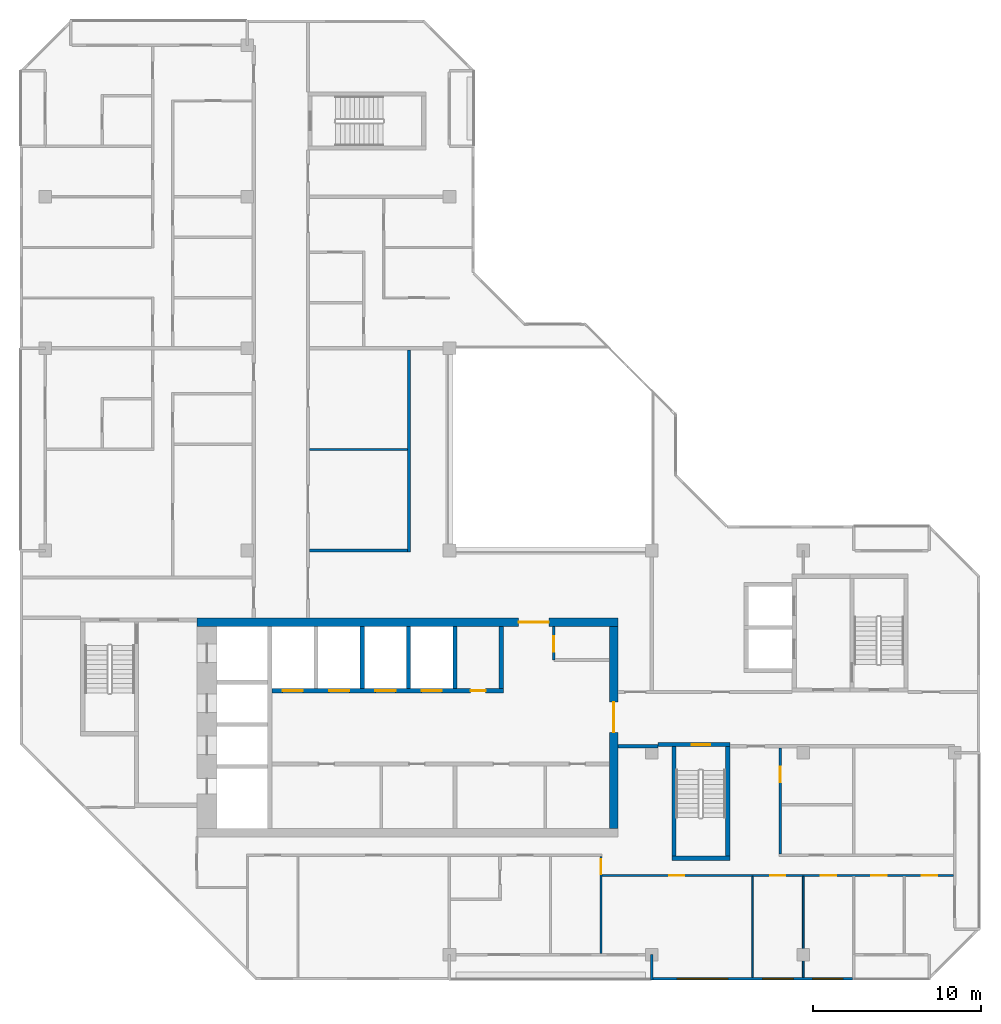
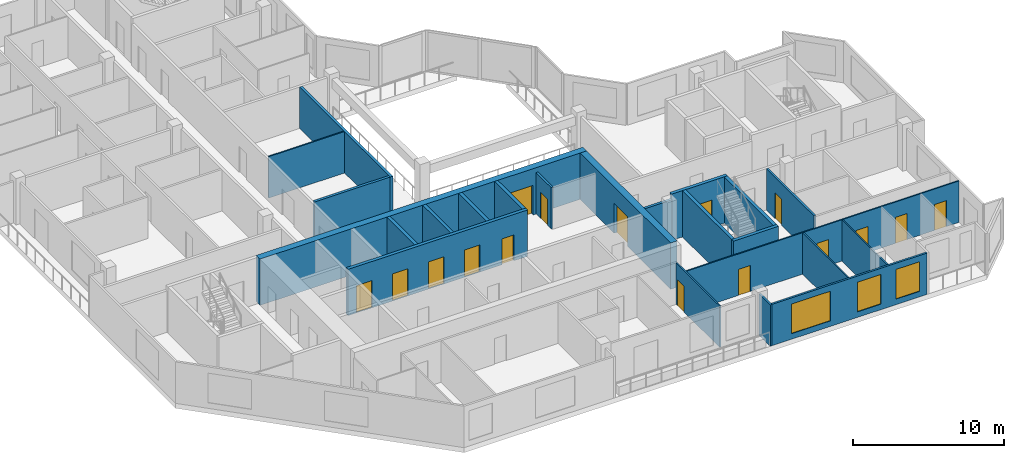
# One storey, part 5 of 12: 23 walls, 16 doors, 3 windows, 19 openings.
"""IFC4 building model written with IfcOpenShell, lengths in metres."""

from ifc_helpers import new_model, si_unit, direction, frame, frame_2d, origin, place, context, subcontext, project, spatial, rectangle, extrude, material, layer, layer_set, type_object, element, fill, save


model = new_model("IFC4")

# Units and contexts
model_context = context("Model", 3, precision=1e-05, world=origin(), true_north=direction((0.0, 1.0)))
body_context = subcontext(model_context, "Body", "Model", "MODEL_VIEW")
ifc_project = project(units=[si_unit("LENGTHUNIT", "METRE"), si_unit("AREAUNIT", "SQUARE_METRE"), si_unit("VOLUMEUNIT", "CUBIC_METRE"), si_unit("PLANEANGLEUNIT", "RADIAN"), si_unit("MASSUNIT", "GRAM", prefix="KILO")], contexts=[model_context])

# Site, building, storey
site_placement = place(None, origin())
site = spatial("IfcSite", under=ifc_project, at=site_placement, CompositionType="ELEMENT")
building_placement = place(site_placement, origin())
building = spatial("IfcBuilding", under=site, at=building_placement, Name="Chenar Terraces", CompositionType="ELEMENT")
storey_placement = place(building_placement, frame((0.0, 0.0, 342.64990234375)))
storey = spatial("IfcBuildingStorey", under=building, at=storey_placement, Name="L79", CompositionType="ELEMENT", Elevation=342.64990234375)

# Wall, opening, door
ifc_material_1 = material(Name="Gypsum board on steel studs", Category="steel")
ifc_layer_1 = layer(ifc_material_1, 0.14990234375)
ifc_layer_set_1 = layer_set([ifc_layer_1], Name="Gypsum board on steel studs")
wall_type_1 = type_object("IfcWallType", Name="Core partition 150 gypsum board", PredefinedType="PARTITIONING", material=ifc_layer_set_1)
wall_1_placement = place(storey_placement, frame((30.199951171875, 17.5, 0.0), z_axis=(0.0, 0.0, 1.0), x_axis=(0.0, 1.0, 0.0)))
wall_1 = element("IfcWall", 1, at=wall_1_placement, inside=storey, type_object=wall_type_1, Name="Core partition CP1 vestibule room west wall", PredefinedType="PARTITIONING", context=body_context, shape_type="SweptSolid", body=[
    extrude(rectangle(XDim=2.0, YDim=0.14990234375, at=frame_2d((1.0, 0.0))), origin(), (0.0, 0.0, 1.0), 3.35009765625),
])
opening_1_placement = place(wall_1_placement, frame((0.5, 0.0, 0.0)))
opening_1 = element("IfcOpeningElement", 2, at=opening_1_placement, cuts=wall_1, Name="Opening DL79-C17", PredefinedType="OPENING", context=body_context, shape_type="SweptSolid", body=[
    extrude(rectangle(XDim=0.89990234375, YDim=2.10009765625, at=frame_2d((0.449951171875, 1.050048828125))), frame((0.0, 0.0849609375, 0.0), z_axis=(0.0, -1.0, 0.0), x_axis=(1.0, 0.0, 0.0)), (0.0, 0.0, 1.0), 0.169921875),
])
ifc_material_2 = material(Name="Steel-framed fire-resisting door leaf", Category="steel")
door_type_1 = type_object("IfcDoorType", Name="Riser fire door FD60 900 x 2100", OperationType="SINGLE_SWING_LEFT", PredefinedType="DOOR", material=ifc_material_2)
door_1_placement = place(opening_1_placement, frame((0.89990234375, 0.0, 0.0), z_axis=(0.0, 0.0, 1.0), x_axis=(-1.0, 0.0, 0.0)))
door_1 = element("IfcDoor", 3, at=door_1_placement, inside=storey, type_object=door_type_1, Name="Core room door DL79-C17", OperationType="SINGLE_SWING_RIGHT", OverallHeight=2.10009765625, OverallWidth=0.89990234375, PredefinedType="DOOR", context=body_context, shape_type="SweptSolid", body=[
    extrude(rectangle(XDim=0.89990234375, YDim=2.10009765625, at=frame_2d((0.449951171875, 1.050048828125))), frame((0.0, 0.02490234375, 0.0), z_axis=(0.0, -1.0, 0.0), x_axis=(1.0, 0.0, 0.0)), (0.0, 0.0, 1.0), 0.050048828125),
])
fill(opening_1, door_1)

# Wall, openings, doors
ifc_material_3 = material(Name="Concrete C50/60", Category="concrete")
ifc_layer_2 = layer(ifc_material_3, 0.25)
ifc_layer_set_2 = layer_set([ifc_layer_2], Name="Concrete C50/60")
wall_type_2 = type_object("IfcWallType", Name="Core wall 250 Concrete C50/60", PredefinedType="SHEAR", material=ifc_layer_set_2)
wall_2_placement = place(storey_placement, frame((13.449951171875, 15.675048828125, 0.0), z_axis=(0.0, 0.0, 1.0), x_axis=(1.0, 0.0, 0.0)))
wall_2 = element("IfcWall", 4, at=wall_2_placement, inside=storey, type_object=wall_type_2, Name="Core wall NF L79", PredefinedType="SHEAR", context=body_context, shape_type="SweptSolid", body=[
    extrude(rectangle(XDim=13.75, YDim=0.25, at=frame_2d((6.875, 0.0))), origin(), (0.0, 0.0, 1.0), 3.75),
])
opening_2_placement = place(wall_2_placement, frame((0.64990234375, 0.0, 0.0)))
opening_2 = element("IfcOpeningElement", 5, at=opening_2_placement, cuts=wall_2, Name="Opening DL79-LD1", PredefinedType="OPENING", context=body_context, shape_type="SweptSolid", body=[
    extrude(rectangle(XDim=1.199951171875, YDim=2.199951171875, at=frame_2d((0.60009765625, 1.10009765625))), frame((0.0, 0.135009765625, 0.0), z_axis=(0.0, -1.0, 0.0), x_axis=(1.0, 0.0, 0.0)), (0.0, 0.0, 1.0), 0.27001953125),
])
opening_3_placement = place(wall_2_placement, frame((3.39990234375, 0.0, 0.0)))
opening_3 = element("IfcOpeningElement", 6, at=opening_3_placement, cuts=wall_2, Name="Opening DL79-LD2", PredefinedType="OPENING", context=body_context, shape_type="SweptSolid", body=[
    extrude(rectangle(XDim=1.199951171875, YDim=2.199951171875, at=frame_2d((0.60009765625, 1.10009765625))), frame((0.0, 0.135009765625, 0.0), z_axis=(0.0, -1.0, 0.0), x_axis=(1.0, 0.0, 0.0)), (0.0, 0.0, 1.0), 0.27001953125),
])
opening_4_placement = place(wall_2_placement, frame((6.14990234375, 0.0, 0.0)))
opening_4 = element("IfcOpeningElement", 7, at=opening_4_placement, cuts=wall_2, Name="Opening DL79-LD3", PredefinedType="OPENING", context=body_context, shape_type="SweptSolid", body=[
    extrude(rectangle(XDim=1.199951171875, YDim=2.199951171875, at=frame_2d((0.60009765625, 1.10009765625))), frame((0.0, 0.135009765625, 0.0), z_axis=(0.0, -1.0, 0.0), x_axis=(1.0, 0.0, 0.0)), (0.0, 0.0, 1.0), 0.27001953125),
])
opening_5_placement = place(wall_2_placement, frame((8.89990234375, 0.0, 0.0)))
opening_5 = element("IfcOpeningElement", 8, at=opening_5_placement, cuts=wall_2, Name="Opening DL79-LD4", PredefinedType="OPENING", context=body_context, shape_type="SweptSolid", body=[
    extrude(rectangle(XDim=1.199951171875, YDim=2.199951171875, at=frame_2d((0.60009765625, 1.10009765625))), frame((0.0, 0.135009765625, 0.0), z_axis=(0.0, -1.0, 0.0), x_axis=(1.0, 0.0, 0.0)), (0.0, 0.0, 1.0), 0.27001953125),
])
opening_6_placement = place(wall_2_placement, frame((11.800048828125, 0.0, 0.0)))
opening_6 = element("IfcOpeningElement", 9, at=opening_6_placement, cuts=wall_2, Name="Opening DL79-C16", PredefinedType="OPENING", context=body_context, shape_type="SweptSolid", body=[
    extrude(rectangle(XDim=0.89990234375, YDim=2.10009765625, at=frame_2d((0.449951171875, 1.050048828125))), frame((0.0, 0.135009765625, 0.0), z_axis=(0.0, -1.0, 0.0), x_axis=(1.0, 0.0, 0.0)), (0.0, 0.0, 1.0), 0.27001953125),
])
ifc_material_4 = material(Name="Stainless steel", Category="steel")
door_type_2 = type_object("IfcDoorType", Name="Lift landing door 1200 x 2200 sliding", OperationType="DOUBLE_DOOR_SLIDING", PredefinedType="DOOR", material=ifc_material_4)
door_2_placement = place(opening_2_placement, origin())
door_2 = element("IfcDoor", 10, at=door_2_placement, inside=storey, type_object=door_type_2, Name="Landing door H1", OperationType="DOUBLE_DOOR_SLIDING", OverallHeight=2.199951171875, OverallWidth=1.199951171875, PredefinedType="DOOR", context=body_context, shape_type="SweptSolid", body=[
    extrude(rectangle(XDim=1.199951171875, YDim=2.199951171875, at=frame_2d((0.60009765625, 1.10009765625))), frame((0.0, 0.02490234375, 0.0), z_axis=(0.0, -1.0, 0.0), x_axis=(1.0, 0.0, 0.0)), (0.0, 0.0, 1.0), 0.050048828125),
])
fill(opening_2, door_2)
door_3_placement = place(opening_3_placement, origin())
door_3 = element("IfcDoor", 11, at=door_3_placement, inside=storey, type_object=door_type_2, Name="Landing door H2", OperationType="DOUBLE_DOOR_SLIDING", OverallHeight=2.199951171875, OverallWidth=1.199951171875, PredefinedType="DOOR", context=body_context, shape_type="SweptSolid", body=[
    extrude(rectangle(XDim=1.199951171875, YDim=2.199951171875, at=frame_2d((0.60009765625, 1.10009765625))), frame((0.0, 0.02490234375, 0.0), z_axis=(0.0, -1.0, 0.0), x_axis=(1.0, 0.0, 0.0)), (0.0, 0.0, 1.0), 0.050048828125),
])
fill(opening_3, door_3)
door_4_placement = place(opening_4_placement, origin())
door_4 = element("IfcDoor", 12, at=door_4_placement, inside=storey, type_object=door_type_2, Name="Landing door H3", OperationType="DOUBLE_DOOR_SLIDING", OverallHeight=2.199951171875, OverallWidth=1.199951171875, PredefinedType="DOOR", context=body_context, shape_type="SweptSolid", body=[
    extrude(rectangle(XDim=1.199951171875, YDim=2.199951171875, at=frame_2d((0.60009765625, 1.10009765625))), frame((0.0, 0.02490234375, 0.0), z_axis=(0.0, -1.0, 0.0), x_axis=(1.0, 0.0, 0.0)), (0.0, 0.0, 1.0), 0.050048828125),
])
fill(opening_4, door_4)
door_5_placement = place(opening_5_placement, origin())
door_5 = element("IfcDoor", 13, at=door_5_placement, inside=storey, type_object=door_type_2, Name="Landing door H4", OperationType="DOUBLE_DOOR_SLIDING", OverallHeight=2.199951171875, OverallWidth=1.199951171875, PredefinedType="DOOR", context=body_context, shape_type="SweptSolid", body=[
    extrude(rectangle(XDim=1.199951171875, YDim=2.199951171875, at=frame_2d((0.60009765625, 1.10009765625))), frame((0.0, 0.02490234375, 0.0), z_axis=(0.0, -1.0, 0.0), x_axis=(1.0, 0.0, 0.0)), (0.0, 0.0, 1.0), 0.050048828125),
])
fill(opening_5, door_5)
door_6_placement = place(opening_6_placement, origin())
door_6 = element("IfcDoor", 14, at=door_6_placement, inside=storey, type_object=door_type_1, Name="Core room door DL79-C16", OperationType="SINGLE_SWING_RIGHT", OverallHeight=2.10009765625, OverallWidth=0.89990234375, PredefinedType="DOOR", context=body_context, shape_type="SweptSolid", body=[
    extrude(rectangle(XDim=0.89990234375, YDim=2.10009765625, at=frame_2d((0.449951171875, 1.050048828125))), frame((0.0, 0.02490234375, 0.0), z_axis=(0.0, -1.0, 0.0), x_axis=(1.0, 0.0, 0.0)), (0.0, 0.0, 1.0), 0.050048828125),
])
fill(opening_6, door_6)

# Walls
for number, where, z_axis, x_axis, name in (
    (15, (18.824951171875, 15.800048828125, 0.0), (0.0, 0.0, 1.0), (0.0, 1.0, 0.0), "Core wall NS1 L79"),
    (16, (21.574951171875, 15.800048828125, 0.0), (0.0, 0.0, 1.0), (0.0, 1.0, 0.0), "Core wall NS2 L79"),
    (17, (24.324951171875, 15.800048828125, 0.0), (0.0, 0.0, 1.0), (0.0, 1.0, 0.0), "Core wall NS3 L79"),
    (18, (27.074951171875, 15.800048828125, 0.0), (0.0, 0.0, 1.0), (0.0, 1.0, 0.0), "Core wall NE L79"),
):
    element("IfcWall", number, at=place(storey_placement, frame(where, z_axis=z_axis, x_axis=x_axis)), inside=storey, type_object=wall_type_2, Name=name, PredefinedType="SHEAR", context=body_context, shape_type="SweptSolid", body=[
        extrude(rectangle(XDim=3.699951171875, YDim=0.25, at=frame_2d((1.85009765625, 0.0))), origin(), (0.0, 0.0, 1.0), 3.75),
    ])
wall_3_placement = place(storey_placement, frame((37.199951171875, 5.72509765625, 0.0), z_axis=(0.0, 0.0, 1.0), x_axis=(1.0, 0.0, 0.0)))
element("IfcWall", 19, at=wall_3_placement, inside=storey, type_object=wall_type_2, Name="Core wall ST2_S L79", PredefinedType="SHEAR", context=body_context, shape_type="SweptSolid", body=[
    extrude(rectangle(XDim=3.449951171875, YDim=0.25, at=frame_2d((1.72509765625, 0.0))), origin(), (0.0, 0.0, 1.0), 3.75),
])

# Wall, opening, door
wall_4_placement = place(storey_placement, frame((36.375, 12.47509765625, 0.0), z_axis=(0.0, 0.0, 1.0), x_axis=(1.0, 0.0, 0.0)))
wall_4 = element("IfcWall", 20, at=wall_4_placement, inside=storey, type_object=wall_type_2, Name="Core wall ST2_N L79", PredefinedType="SHEAR", context=body_context, shape_type="SweptSolid", body=[
    extrude(rectangle(XDim=4.27490234375, YDim=0.25, at=frame_2d((2.137451171875, 0.0))), origin(), (0.0, 0.0, 1.0), 3.75),
])
opening_7_placement = place(wall_4_placement, frame((2.0, 0.0, 0.0)))
opening_7 = element("IfcOpeningElement", 21, at=opening_7_placement, cuts=wall_4, Name="Opening DL79-C7", PredefinedType="OPENING", context=body_context, shape_type="SweptSolid", body=[
    extrude(rectangle(XDim=1.10009765625, YDim=2.199951171875, at=frame_2d((0.550048828125, 1.10009765625))), frame((0.0, 0.135009765625, 0.0), z_axis=(0.0, -1.0, 0.0), x_axis=(1.0, 0.0, 0.0)), (0.0, 0.0, 1.0), 0.27001953125),
])
ifc_material_5 = material(Name="Steel-framed fire-resisting door leaf", Category="steel")
door_type_3 = type_object("IfcDoorType", Name="Stair fire door FD60 1100 x 2200", OperationType="SINGLE_SWING_LEFT", PredefinedType="DOOR", material=ifc_material_5)
door_7_placement = place(opening_7_placement, frame((1.10009765625, 0.0, 0.0), z_axis=(0.0, 0.0, 1.0), x_axis=(-1.0, 0.0, 0.0)))
door_7 = element("IfcDoor", 22, at=door_7_placement, inside=storey, type_object=door_type_3, Name="Stair door DL79-C7", OperationType="SINGLE_SWING_LEFT", OverallHeight=2.199951171875, OverallWidth=1.10009765625, PredefinedType="DOOR", context=body_context, shape_type="SweptSolid", body=[
    extrude(rectangle(XDim=1.10009765625, YDim=2.199951171875, at=frame_2d((0.550048828125, 1.10009765625))), frame((0.0, 0.02490234375, 0.0), z_axis=(0.0, -1.0, 0.0), x_axis=(1.0, 0.0, 0.0)), (0.0, 0.0, 1.0), 0.050048828125),
])
fill(opening_7, door_7)

# Walls
for number, where, z_axis, x_axis, name in (
    (23, (37.324951171875, 5.85009765625, 0.0), (0.0, 0.0, 1.0), (0.0, 1.0, 0.0), "Core wall ST2_W L79"),
    (24, (40.52490234375, 5.85009765625, 0.0), (0.0, 0.0, 1.0), (0.0, 1.0, 0.0), "Core wall ST2_E L79"),
):
    element("IfcWall", number, at=place(storey_placement, frame(where, z_axis=z_axis, x_axis=x_axis)), inside=storey, type_object=wall_type_2, Name=name, PredefinedType="SHEAR", context=body_context, shape_type="SweptSolid", body=[
        extrude(rectangle(XDim=6.5, YDim=0.25, at=frame_2d((3.25, 0.0))), origin(), (0.0, 0.0, 1.0), 3.75),
    ])

# Wall, opening, door
ifc_material_6 = material(Name="Concrete C50/60", Category="concrete")
ifc_layer_3 = layer(ifc_material_6, 0.5)
ifc_layer_set_3 = layer_set([ifc_layer_3], Name="Concrete C50/60")
wall_type_3 = type_object("IfcWallType", Name="Core wall 500 Concrete C50/60", PredefinedType="SHEAR", material=ifc_layer_set_3)
wall_5_placement = place(storey_placement, frame((9.0, 19.75, 0.0), z_axis=(0.0, 0.0, 1.0), x_axis=(1.0, 0.0, 0.0)))
wall_5 = element("IfcWall", 25, at=wall_5_placement, inside=storey, type_object=wall_type_3, Name="Core wall N L79", PredefinedType="SHEAR", context=body_context, shape_type="SweptSolid", body=[
    extrude(rectangle(XDim=25.0, YDim=0.5, at=frame_2d((12.5, 0.0))), origin(), (0.0, 0.0, 1.0), 3.75),
])
opening_8_placement = place(wall_5_placement, frame((19.10009765625, 0.0, 0.0)))
opening_8 = element("IfcOpeningElement", 26, at=opening_8_placement, cuts=wall_5, Name="Opening DL79-C2", PredefinedType="OPENING", context=body_context, shape_type="SweptSolid", body=[
    extrude(rectangle(XDim=1.800048828125, YDim=2.39990234375, at=frame_2d((0.89990234375, 1.199951171875))), frame((0.0, 0.260009765625, 0.0), z_axis=(0.0, -1.0, 0.0), x_axis=(1.0, 0.0, 0.0)), (0.0, 0.0, 1.0), 0.52001953125),
])
ifc_material_7 = material(Name="Steel-framed fire-resisting door leaf", Category="steel")
door_type_4 = type_object("IfcDoorType", Name="Core entrance double fire door FD60 1800 x 2400", OperationType="DOUBLE_DOOR_SINGLE_SWING", PredefinedType="DOOR", material=ifc_material_7)
door_8_placement = place(opening_8_placement, frame((1.800048828125, 0.0, 0.0), z_axis=(0.0, 0.0, 1.0), x_axis=(-1.0, 0.0, 0.0)))
door_8 = element("IfcDoor", 27, at=door_8_placement, inside=storey, type_object=door_type_4, Name="Core door DL79-C2", OperationType="DOUBLE_DOOR_SINGLE_SWING", OverallHeight=2.39990234375, OverallWidth=1.800048828125, PredefinedType="DOOR", context=body_context, shape_type="SweptSolid", body=[
    extrude(rectangle(XDim=1.800048828125, YDim=2.39990234375, at=frame_2d((0.89990234375, 1.199951171875))), frame((0.0, 0.02490234375, 0.0), z_axis=(0.0, -1.0, 0.0), x_axis=(1.0, 0.0, 0.0)), (0.0, 0.0, 1.0), 0.050048828125),
])
fill(opening_8, door_8)

wall_6_placement = place(storey_placement, frame((33.75, 7.5, 0.0), z_axis=(0.0, 0.0, 1.0), x_axis=(0.0, 1.0, 0.0)))
wall_6 = element("IfcWall", 28, at=wall_6_placement, inside=storey, type_object=wall_type_3, Name="Core wall E L79", PredefinedType="SHEAR", context=body_context, shape_type="SweptSolid", body=[
    extrude(rectangle(XDim=12.0, YDim=0.5, at=frame_2d((6.0, 0.0))), origin(), (0.0, 0.0, 1.0), 3.75),
])
opening_9_placement = place(wall_6_placement, frame((5.699951171875, 0.0, 0.0)))
opening_9 = element("IfcOpeningElement", 29, at=opening_9_placement, cuts=wall_6, Name="Opening DL79-C1", PredefinedType="OPENING", context=body_context, shape_type="SweptSolid", body=[
    extrude(rectangle(XDim=1.800048828125, YDim=2.39990234375, at=frame_2d((0.89990234375, 1.199951171875))), frame((0.0, 0.260009765625, 0.0), z_axis=(0.0, -1.0, 0.0), x_axis=(1.0, 0.0, 0.0)), (0.0, 0.0, 1.0), 0.52001953125),
])
door_9_placement = place(opening_9_placement, origin())
door_9 = element("IfcDoor", 30, at=door_9_placement, inside=storey, type_object=door_type_4, Name="Core door DL79-C1", OperationType="DOUBLE_DOOR_SINGLE_SWING", OverallHeight=2.39990234375, OverallWidth=1.800048828125, PredefinedType="DOOR", context=body_context, shape_type="SweptSolid", body=[
    extrude(rectangle(XDim=1.800048828125, YDim=2.39990234375, at=frame_2d((0.89990234375, 1.199951171875))), frame((0.0, 0.02490234375, 0.0), z_axis=(0.0, -1.0, 0.0), x_axis=(1.0, 0.0, 0.0)), (0.0, 0.0, 1.0), 0.050048828125),
])
fill(opening_9, door_9)

# Walls
ifc_material_8 = material(Name="Gypsum board on steel studs with fire boards", Category="steel")
ifc_layer_4 = layer(ifc_material_8, 0.199951171875)
ifc_layer_set_4 = layer_set([ifc_layer_4], Name="Gypsum board on steel studs with fire boards")
wall_type_4 = type_object("IfcWallType", Name="Corridor wall 200", PredefinedType="PARTITIONING", material=ifc_layer_set_4)
wall_7_placement = place(storey_placement, frame((15.699951171875, 24.0, 0.0), z_axis=(0.0, 0.0, 1.0), x_axis=(1.0, 0.0, 0.0)))
element("IfcWall", 31, at=wall_7_placement, inside=storey, type_object=wall_type_4, Name="Partition L79-033", PredefinedType="PARTITIONING", context=body_context, shape_type="SweptSolid", body=[
    extrude(rectangle(XDim=5.800048828125, YDim=0.199951171875, at=frame_2d((2.89990234375, 0.0))), origin(), (0.0, 0.0, 1.0), 3.35009765625),
])
wall_8_placement = place(storey_placement, frame((21.60009765625, 23.89990234375, 0.0), z_axis=(0.0, 0.0, 1.0), x_axis=(0.0, 1.0, 0.0)))
element("IfcWall", 32, at=wall_8_placement, inside=storey, type_object=wall_type_4, Name="Partition L79-043", PredefinedType="PARTITIONING", context=body_context, shape_type="SweptSolid", body=[
    extrude(rectangle(XDim=12.0, YDim=0.199951171875, at=frame_2d((6.0, 0.0))), origin(), (0.0, 0.0, 1.0), 3.35009765625),
])
wall_9_placement = place(storey_placement, frame((34.0, 12.375, 0.0), z_axis=(0.0, 0.0, 1.0), x_axis=(1.0, 0.0, 0.0)))
element("IfcWall", 33, at=wall_9_placement, inside=storey, type_object=wall_type_4, Name="Partition L79-050", PredefinedType="PARTITIONING", context=body_context, shape_type="SweptSolid", body=[
    extrude(rectangle(XDim=2.3759765625, YDim=0.199951171875, at=frame_2d((1.18798828125, 0.0))), origin(), (0.0, 0.0, 1.0), 3.35009765625),
])

# Wall, openings, windows
ifc_material_9 = material(Name="Aluminium framed glazing", Category="aluminium")
ifc_layer_5 = layer(ifc_material_9, 0.14990234375)
ifc_layer_set_5 = layer_set([ifc_layer_5], Name="Aluminium framed glazing")
wall_type_5 = type_object("IfcWallType", Name="Glazed flush facade wall 150", PredefinedType="SOLIDWALL", material=ifc_layer_set_5)
wall_10_placement = place(storey_placement, frame((36.074951171875, -1.425048828125, 0.0), z_axis=(0.0, 0.0, 1.0), x_axis=(1.0, 0.0, 0.0)))
wall_10 = element("IfcWall", 34, at=wall_10_placement, inside=storey, type_object=wall_type_5, Name="Glazed flush facade wall", PredefinedType="SOLIDWALL", context=body_context, shape_type="SweptSolid", body=[
    extrude(rectangle(XDim=11.85009765625, YDim=0.14990234375, at=frame_2d((5.925048828125, 0.0))), origin(), (0.0, 0.0, 1.0), 3.35009765625),
])
opening_10_placement = place(wall_10_placement, frame((1.46240234375, 0.0, 0.449951171875)))
opening_10 = element("IfcOpeningElement", 35, at=opening_10_placement, cuts=wall_10, Name="Opening W300x240", PredefinedType="OPENING", context=body_context, shape_type="SweptSolid", body=[
    extrude(rectangle(XDim=3.0, YDim=2.39990234375, at=frame_2d((1.5, 1.199951171875))), frame((0.0, 0.0849609375, 0.0), z_axis=(0.0, -1.0, 0.0), x_axis=(1.0, 0.0, 0.0)), (0.0, 0.0, 1.0), 0.169921875),
])
opening_11_placement = place(wall_10_placement, frame((6.52490234375, 0.0, 0.449951171875)))
opening_11 = element("IfcOpeningElement", 36, at=opening_11_placement, cuts=wall_10, Name="Opening W180x240", PredefinedType="OPENING", context=body_context, shape_type="SweptSolid", body=[
    extrude(rectangle(XDim=1.800048828125, YDim=2.39990234375, at=frame_2d((0.89990234375, 1.199951171875))), frame((0.0, 0.0849609375, 0.0), z_axis=(0.0, -1.0, 0.0), x_axis=(1.0, 0.0, 0.0)), (0.0, 0.0, 1.0), 0.169921875),
])
opening_12_placement = place(wall_10_placement, frame((9.487548828125, 0.0, 0.449951171875)))
opening_12 = element("IfcOpeningElement", 37, at=opening_12_placement, cuts=wall_10, Name="Opening W180x240", PredefinedType="OPENING", context=body_context, shape_type="SweptSolid", body=[
    extrude(rectangle(XDim=1.800048828125, YDim=2.39990234375, at=frame_2d((0.89990234375, 1.199951171875))), frame((0.0, 0.0849609375, 0.0), z_axis=(0.0, -1.0, 0.0), x_axis=(1.0, 0.0, 0.0)), (0.0, 0.0, 1.0), 0.169921875),
])
ifc_material_10 = material(Name="Low emissivity double glazing, aluminium frame", Category="aluminium")
window_type_1 = type_object("IfcWindowType", Name="Fixed light 1800 x 2400", PartitioningType="SINGLE_PANEL", PredefinedType="WINDOW", material=ifc_material_10)
window_1_placement = place(opening_11_placement, origin())
window_1 = element("IfcWindow", 38, at=window_1_placement, inside=storey, type_object=window_type_1, Name="Window", OverallHeight=2.39990234375, OverallWidth=1.800048828125, PartitioningType="SINGLE_PANEL", PredefinedType="WINDOW", context=body_context, shape_type="SweptSolid", body=[
    extrude(rectangle(XDim=1.800048828125, YDim=2.39990234375, at=frame_2d((0.89990234375, 1.199951171875))), frame((0.0, 0.030029296875, 0.0), z_axis=(0.0, -1.0, 0.0), x_axis=(1.0, 0.0, 0.0)), (0.0, 0.0, 1.0), 0.06005859375),
])
fill(opening_11, window_1)
window_2_placement = place(opening_12_placement, origin())
window_2 = element("IfcWindow", 39, at=window_2_placement, inside=storey, type_object=window_type_1, Name="Window", OverallHeight=2.39990234375, OverallWidth=1.800048828125, PartitioningType="SINGLE_PANEL", PredefinedType="WINDOW", context=body_context, shape_type="SweptSolid", body=[
    extrude(rectangle(XDim=1.800048828125, YDim=2.39990234375, at=frame_2d((0.89990234375, 1.199951171875))), frame((0.0, 0.030029296875, 0.0), z_axis=(0.0, -1.0, 0.0), x_axis=(1.0, 0.0, 0.0)), (0.0, 0.0, 1.0), 0.06005859375),
])
fill(opening_12, window_2)
ifc_material_11 = material(Name="Low emissivity double glazing, aluminium frame", Category="aluminium")
window_type_2 = type_object("IfcWindowType", Name="Fixed light 3000 x 2400", PartitioningType="SINGLE_PANEL", PredefinedType="WINDOW", material=ifc_material_11)
window_3_placement = place(opening_10_placement, origin())
window_3 = element("IfcWindow", 40, at=window_3_placement, inside=storey, type_object=window_type_2, Name="Window", OverallHeight=2.39990234375, OverallWidth=3.0, PartitioningType="SINGLE_PANEL", PredefinedType="WINDOW", context=body_context, shape_type="SweptSolid", body=[
    extrude(rectangle(XDim=3.0, YDim=2.39990234375, at=frame_2d((1.5, 1.199951171875))), frame((0.0, 0.030029296875, 0.0), z_axis=(0.0, -1.0, 0.0), x_axis=(1.0, 0.0, 0.0)), (0.0, 0.0, 1.0), 0.06005859375),
])
fill(opening_10, window_3)

# Wall
ifc_material_12 = material(Name="Gypsum board on steel studs", Category="steel")
ifc_layer_6 = layer(ifc_material_12, 0.10009765625)
ifc_layer_set_6 = layer_set([ifc_layer_6], Name="Gypsum board on steel studs")
wall_type_6 = type_object("IfcWallType", Name="Gypsum partition 100", PredefinedType="PARTITIONING", material=ifc_layer_set_6)
wall_11_placement = place(storey_placement, frame((15.699951171875, 30.0, 0.0), z_axis=(0.0, 0.0, 1.0), x_axis=(1.0, 0.0, 0.0)))
element("IfcWall", 41, at=wall_11_placement, inside=storey, type_object=wall_type_6, Name="Partition L79-034", PredefinedType="PARTITIONING", context=body_context, shape_type="SweptSolid", body=[
    extrude(rectangle(XDim=5.800048828125, YDim=0.10009765625, at=frame_2d((2.89990234375, 0.0))), origin(), (0.0, 0.0, 1.0), 3.35009765625),
])

# Wall, opening, door
wall_12_placement = place(storey_placement, frame((33.0, 0.073974609375, 0.0), z_axis=(0.0, 0.0, 1.0), x_axis=(0.0, 1.0, 0.0)))
wall_12 = element("IfcWall", 42, at=wall_12_placement, inside=storey, type_object=wall_type_6, Name="Partition L79-048", PredefinedType="PARTITIONING", context=body_context, shape_type="SweptSolid", body=[
    extrude(rectangle(XDim=5.7509765625, YDim=0.10009765625, at=frame_2d((2.87548828125, 0.0))), origin(), (0.0, 0.0, 1.0), 3.35009765625),
])
opening_13_placement = place(wall_12_placement, frame((4.700927734375, 0.0, 0.0)))
opening_13 = element("IfcOpeningElement", 43, at=opening_13_placement, cuts=wall_12, Name="Opening DL79-26", PredefinedType="OPENING", context=body_context, shape_type="SweptSolid", body=[
    extrude(rectangle(XDim=0.89990234375, YDim=2.10009765625, at=frame_2d((0.449951171875, 1.050048828125))), frame((0.0, 0.06005859375, 0.0), z_axis=(0.0, -1.0, 0.0), x_axis=(1.0, 0.0, 0.0)), (0.0, 0.0, 1.0), 0.1201171875),
])
ifc_material_13 = material(Name="Veneered timber door leaf", Category="wood")
door_type_5 = type_object("IfcDoorType", Name="Door 900 x 2100", OperationType="SINGLE_SWING_LEFT", PredefinedType="DOOR", material=ifc_material_13)
door_10_placement = place(opening_13_placement, origin())
door_10 = element("IfcDoor", 44, at=door_10_placement, inside=storey, type_object=door_type_5, Name="Door DL79-26", OperationType="SINGLE_SWING_RIGHT", OverallHeight=2.10009765625, OverallWidth=0.89990234375, PredefinedType="DOOR", context=body_context, shape_type="SweptSolid", body=[
    extrude(rectangle(XDim=0.89990234375, YDim=2.10009765625, at=frame_2d((0.449951171875, 1.050048828125))), frame((0.0, 0.02490234375, 0.0), z_axis=(0.0, -1.0, 0.0), x_axis=(1.0, 0.0, 0.0)), (0.0, 0.0, 1.0), 0.050048828125),
])
fill(opening_13, door_10)

# Wall, openings, doors
wall_13_placement = place(storey_placement, frame((33.050048828125, 4.699951171875, 0.0), z_axis=(0.0, 0.0, 1.0), x_axis=(1.0, 0.0, 0.0)))
wall_13 = element("IfcWall", 45, at=wall_13_placement, inside=storey, type_object=wall_type_6, Name="Partition L79-049", PredefinedType="PARTITIONING", context=body_context, shape_type="SweptSolid", body=[
    extrude(rectangle(XDim=20.8759765625, YDim=0.10009765625, at=frame_2d((10.43798828125, 0.0))), origin(), (0.0, 0.0, 1.0), 3.35009765625),
])
opening_14_placement = place(wall_13_placement, frame((10.0, 0.0, 0.0)))
opening_14 = element("IfcOpeningElement", 46, at=opening_14_placement, cuts=wall_13, Name="Opening DL79-27", PredefinedType="OPENING", context=body_context, shape_type="SweptSolid", body=[
    extrude(rectangle(XDim=0.89990234375, YDim=2.10009765625, at=frame_2d((0.449951171875, 1.050048828125))), frame((0.0, 0.06005859375, 0.0), z_axis=(0.0, -1.0, 0.0), x_axis=(1.0, 0.0, 0.0)), (0.0, 0.0, 1.0), 0.1201171875),
])
opening_15_placement = place(wall_13_placement, frame((13.0, 0.0, 0.0)))
opening_15 = element("IfcOpeningElement", 47, at=opening_15_placement, cuts=wall_13, Name="Opening DL79-28", PredefinedType="OPENING", context=body_context, shape_type="SweptSolid", body=[
    extrude(rectangle(XDim=0.89990234375, YDim=2.10009765625, at=frame_2d((0.449951171875, 1.050048828125))), frame((0.0, 0.06005859375, 0.0), z_axis=(0.0, -1.0, 0.0), x_axis=(1.0, 0.0, 0.0)), (0.0, 0.0, 1.0), 0.1201171875),
])
opening_16_placement = place(wall_13_placement, frame((16.0, 0.0, 0.0)))
opening_16 = element("IfcOpeningElement", 48, at=opening_16_placement, cuts=wall_13, Name="Opening DL79-29", PredefinedType="OPENING", context=body_context, shape_type="SweptSolid", body=[
    extrude(rectangle(XDim=0.89990234375, YDim=2.10009765625, at=frame_2d((0.449951171875, 1.050048828125))), frame((0.0, 0.06005859375, 0.0), z_axis=(0.0, -1.0, 0.0), x_axis=(1.0, 0.0, 0.0)), (0.0, 0.0, 1.0), 0.1201171875),
])
opening_17_placement = place(wall_13_placement, frame((19.0, 0.0, 0.0)))
opening_17 = element("IfcOpeningElement", 49, at=opening_17_placement, cuts=wall_13, Name="Opening DL79-30", PredefinedType="OPENING", context=body_context, shape_type="SweptSolid", body=[
    extrude(rectangle(XDim=0.89990234375, YDim=2.10009765625, at=frame_2d((0.449951171875, 1.050048828125))), frame((0.0, 0.06005859375, 0.0), z_axis=(0.0, -1.0, 0.0), x_axis=(1.0, 0.0, 0.0)), (0.0, 0.0, 1.0), 0.1201171875),
])
opening_18_placement = place(wall_13_placement, frame((4.0, 0.0, 0.0)))
opening_18 = element("IfcOpeningElement", 50, at=opening_18_placement, cuts=wall_13, Name="Opening DL79-38", PredefinedType="OPENING", context=body_context, shape_type="SweptSolid", body=[
    extrude(rectangle(XDim=0.89990234375, YDim=2.10009765625, at=frame_2d((0.449951171875, 1.050048828125))), frame((0.0, 0.06005859375, 0.0), z_axis=(0.0, -1.0, 0.0), x_axis=(1.0, 0.0, 0.0)), (0.0, 0.0, 1.0), 0.1201171875),
])
door_11_placement = place(opening_14_placement, frame((0.89990234375, 0.0, 0.0), z_axis=(0.0, 0.0, 1.0), x_axis=(-1.0, 0.0, 0.0)))
door_11 = element("IfcDoor", 51, at=door_11_placement, inside=storey, type_object=door_type_5, Name="Door DL79-27", OperationType="SINGLE_SWING_LEFT", OverallHeight=2.10009765625, OverallWidth=0.89990234375, PredefinedType="DOOR", context=body_context, shape_type="SweptSolid", body=[
    extrude(rectangle(XDim=0.89990234375, YDim=2.10009765625, at=frame_2d((0.449951171875, 1.050048828125))), frame((0.0, 0.02490234375, 0.0), z_axis=(0.0, -1.0, 0.0), x_axis=(1.0, 0.0, 0.0)), (0.0, 0.0, 1.0), 0.050048828125),
])
fill(opening_14, door_11)
door_12_placement = place(opening_15_placement, frame((0.89990234375, 0.0, 0.0), z_axis=(0.0, 0.0, 1.0), x_axis=(-1.0, 0.0, 0.0)))
door_12 = element("IfcDoor", 52, at=door_12_placement, inside=storey, type_object=door_type_5, Name="Door DL79-28", OperationType="SINGLE_SWING_LEFT", OverallHeight=2.10009765625, OverallWidth=0.89990234375, PredefinedType="DOOR", context=body_context, shape_type="SweptSolid", body=[
    extrude(rectangle(XDim=0.89990234375, YDim=2.10009765625, at=frame_2d((0.449951171875, 1.050048828125))), frame((0.0, 0.02490234375, 0.0), z_axis=(0.0, -1.0, 0.0), x_axis=(1.0, 0.0, 0.0)), (0.0, 0.0, 1.0), 0.050048828125),
])
fill(opening_15, door_12)
door_13_placement = place(opening_16_placement, frame((0.89990234375, 0.0, 0.0), z_axis=(0.0, 0.0, 1.0), x_axis=(-1.0, 0.0, 0.0)))
door_13 = element("IfcDoor", 53, at=door_13_placement, inside=storey, type_object=door_type_5, Name="Door DL79-29", OperationType="SINGLE_SWING_LEFT", OverallHeight=2.10009765625, OverallWidth=0.89990234375, PredefinedType="DOOR", context=body_context, shape_type="SweptSolid", body=[
    extrude(rectangle(XDim=0.89990234375, YDim=2.10009765625, at=frame_2d((0.449951171875, 1.050048828125))), frame((0.0, 0.02490234375, 0.0), z_axis=(0.0, -1.0, 0.0), x_axis=(1.0, 0.0, 0.0)), (0.0, 0.0, 1.0), 0.050048828125),
])
fill(opening_16, door_13)
door_14_placement = place(opening_17_placement, frame((0.89990234375, 0.0, 0.0), z_axis=(0.0, 0.0, 1.0), x_axis=(-1.0, 0.0, 0.0)))
door_14 = element("IfcDoor", 54, at=door_14_placement, inside=storey, type_object=door_type_5, Name="Door DL79-30", OperationType="SINGLE_SWING_LEFT", OverallHeight=2.10009765625, OverallWidth=0.89990234375, PredefinedType="DOOR", context=body_context, shape_type="SweptSolid", body=[
    extrude(rectangle(XDim=0.89990234375, YDim=2.10009765625, at=frame_2d((0.449951171875, 1.050048828125))), frame((0.0, 0.02490234375, 0.0), z_axis=(0.0, -1.0, 0.0), x_axis=(1.0, 0.0, 0.0)), (0.0, 0.0, 1.0), 0.050048828125),
])
fill(opening_17, door_14)
door_15_placement = place(opening_18_placement, frame((0.89990234375, 0.0, 0.0), z_axis=(0.0, 0.0, 1.0), x_axis=(-1.0, 0.0, 0.0)))
door_15 = element("IfcDoor", 55, at=door_15_placement, inside=storey, type_object=door_type_5, Name="Door DL79-38", OperationType="SINGLE_SWING_LEFT", OverallHeight=2.10009765625, OverallWidth=0.89990234375, PredefinedType="DOOR", context=body_context, shape_type="SweptSolid", body=[
    extrude(rectangle(XDim=0.89990234375, YDim=2.10009765625, at=frame_2d((0.449951171875, 1.050048828125))), frame((0.0, 0.02490234375, 0.0), z_axis=(0.0, -1.0, 0.0), x_axis=(1.0, 0.0, 0.0)), (0.0, 0.0, 1.0), 0.050048828125),
])
fill(opening_18, door_15)

# Walls
wall_14_placement = place(storey_placement, frame((42.0, -1.35009765625, 0.0), z_axis=(0.0, 0.0, 1.0), x_axis=(0.0, 1.0, 0.0)))
element("IfcWall", 56, at=wall_14_placement, inside=storey, type_object=wall_type_6, Name="Partition L79-054", PredefinedType="PARTITIONING", context=body_context, shape_type="SweptSolid", body=[
    extrude(rectangle(XDim=6.0, YDim=0.10009765625, at=frame_2d((3.0, 0.0))), origin(), (0.0, 0.0, 1.0), 3.35009765625),
])
wall_15_placement = place(storey_placement, frame((45.0, -1.35107421875, 0.0), z_axis=(0.0, 0.0, 1.0), x_axis=(0.0, 1.0, 0.0)))
element("IfcWall", 57, at=wall_15_placement, inside=storey, type_object=wall_type_6, Name="Partition L79-058", PredefinedType="PARTITIONING", context=body_context, shape_type="SweptSolid", body=[
    extrude(rectangle(XDim=6.0009765625, YDim=0.10009765625, at=frame_2d((3.00048828125, 0.0))), origin(), (0.0, 0.0, 1.0), 3.35009765625),
])
ifc_material_14 = material(Name="Terracotta cladding on insulated backing", Category="masonry")
ifc_layer_7 = layer(ifc_material_14, 0.14990234375)
ifc_layer_set_7 = layer_set([ifc_layer_7], Name="Terracotta cladding on insulated backing")
wall_type_7 = type_object("IfcWallType", Name="Loggia return wall 150", PredefinedType="SOLIDWALL", material=ifc_layer_set_7)
wall_16_placement = place(storey_placement, frame((36.0, -1.5, 0.0), z_axis=(0.0, 0.0, 1.0), x_axis=(0.0, 1.0, 0.0)))
element("IfcWall", 58, at=wall_16_placement, inside=storey, type_object=wall_type_7, Name="Loggia return wall", PredefinedType="SOLIDWALL", context=body_context, shape_type="SweptSolid", body=[
    extrude(rectangle(XDim=1.5, YDim=0.14990234375, at=frame_2d((0.75, 0.0))), origin(), (0.0, 0.0, 1.0), 3.35009765625),
])

# Wall, opening, door
ifc_material_15 = material(Name="Moisture-resistant gypsum board on steel studs", Category="steel")
ifc_layer_8 = layer(ifc_material_15, 0.14990234375)
ifc_layer_set_8 = layer_set([ifc_layer_8], Name="Moisture-resistant gypsum board on steel studs")
wall_type_8 = type_object("IfcWallType", Name="Wet-room partition 150", PredefinedType="PARTITIONING", material=ifc_layer_set_8)
wall_17_placement = place(storey_placement, frame((43.64990234375, 5.97509765625, 0.0), z_axis=(0.0, 0.0, 1.0), x_axis=(0.0, 1.0, 0.0)))
wall_17 = element("IfcWall", 59, at=wall_17_placement, inside=storey, type_object=wall_type_8, Name="Partition L79-056", PredefinedType="PARTITIONING", context=body_context, shape_type="SweptSolid", body=[
    extrude(rectangle(XDim=6.2998046875, YDim=0.14990234375, at=frame_2d((3.14990234375, 0.0))), origin(), (0.0, 0.0, 1.0), 3.35009765625),
])
opening_19_placement = place(wall_17_placement, frame((4.27490234375, 0.0, 0.0)))
opening_19 = element("IfcOpeningElement", 60, at=opening_19_placement, cuts=wall_17, Name="Opening DL79-36", PredefinedType="OPENING", context=body_context, shape_type="SweptSolid", body=[
    extrude(rectangle(XDim=0.89990234375, YDim=2.10009765625, at=frame_2d((0.449951171875, 1.050048828125))), frame((0.0, 0.0849609375, 0.0), z_axis=(0.0, -1.0, 0.0), x_axis=(1.0, 0.0, 0.0)), (0.0, 0.0, 1.0), 0.169921875),
])
door_16_placement = place(opening_19_placement, frame((0.89990234375, 0.0, 0.0), z_axis=(0.0, 0.0, 1.0), x_axis=(-1.0, 0.0, 0.0)))
door_16 = element("IfcDoor", 61, at=door_16_placement, inside=storey, type_object=door_type_5, Name="Door DL79-36", OperationType="SINGLE_SWING_LEFT", OverallHeight=2.10009765625, OverallWidth=0.89990234375, PredefinedType="DOOR", context=body_context, shape_type="SweptSolid", body=[
    extrude(rectangle(XDim=0.89990234375, YDim=2.10009765625, at=frame_2d((0.449951171875, 1.050048828125))), frame((0.0, 0.02490234375, 0.0), z_axis=(0.0, -1.0, 0.0), x_axis=(1.0, 0.0, 0.0)), (0.0, 0.0, 1.0), 0.050048828125),
])
fill(opening_19, door_16)

save(model, "model.ifc")
